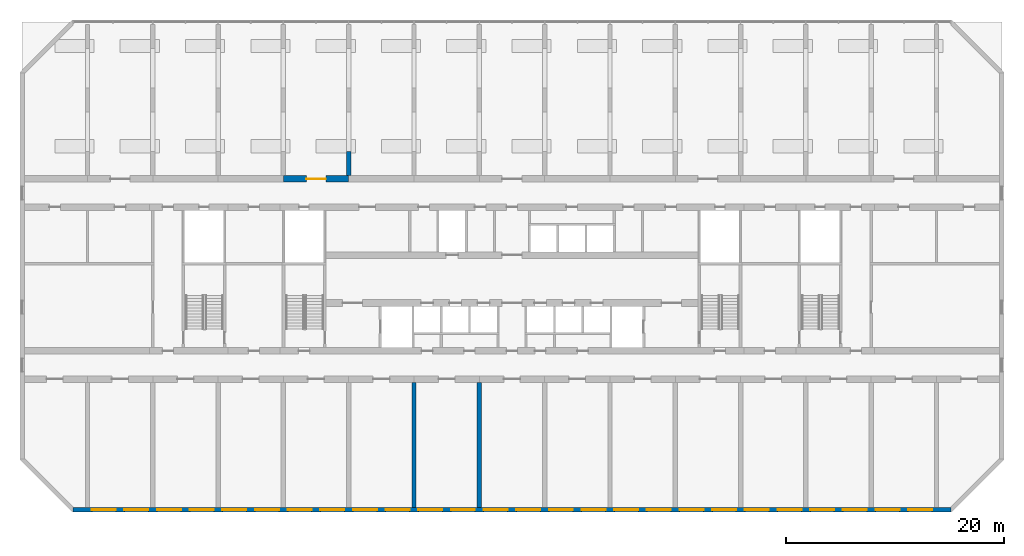
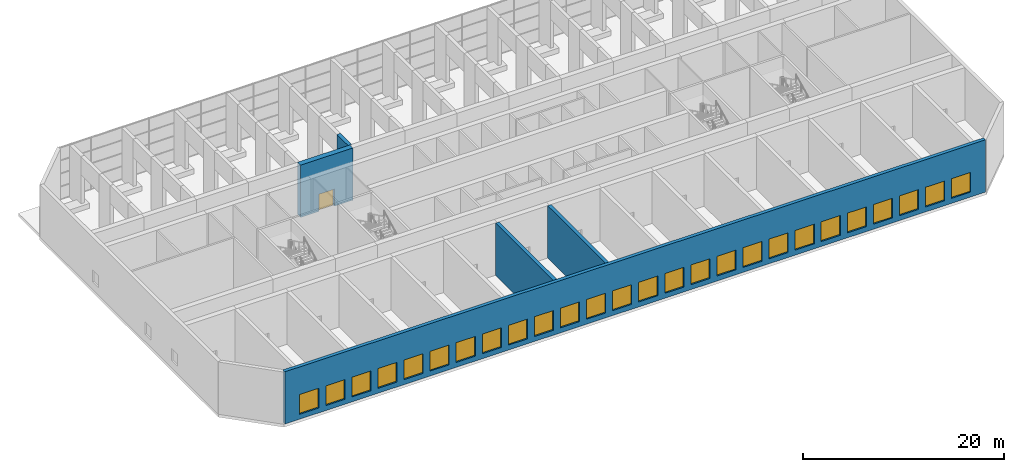
# One storey, part 8 of 15: 26 windows, 5 walls, 1 door, 27 openings.
"""IFC4 building model written with IfcOpenShell, lengths in metres."""

import ifcopenshell
import ifcopenshell.guid

model = None  # the IFC model being written
_history = None  # IfcOwnerHistory: only IFC2X3 demands one
_inside = {}  # id of a spatial element -> (the spatial element, [elements in it])
_under = {}  # id of a project, library or spatial element -> (it, [spatial elements below it])
_declared = {}  # id of a project -> (the project, [libraries it declares])
_typed = {}  # id of a type object -> (the type object, [elements of that type])
_made_of = {}  # id of a material, layer set ... -> (it, [elements and type objects made of it])


def new_model(schema):
    """Start an empty IFC model of exactly this schema.

    Asked for "IFC4X3", IfcOpenShell would pick the latest addendum, in which some entities
    have other attributes; the version numbers below select the first issue.
    IFC2X3 requires an IfcOwnerHistory on every rooted entity: one is made here for all.
    """
    global model, _history
    if schema == "IFC4X3":
        model = ifcopenshell.file(schema_version=(4, 3, 0, 0))
    else:
        model = ifcopenshell.file(schema=schema)
    _inside.clear()
    _under.clear()
    _declared.clear()
    _typed.clear()
    _made_of.clear()
    _history = None
    if model.schema == "IFC2X3":
        org = make("IfcOrganization", Name="unknown")
        user = make(
            "IfcPersonAndOrganization",
            ThePerson=make("IfcPerson", FamilyName="unknown"),
            TheOrganization=org,
        )
        app = make(
            "IfcApplication",
            ApplicationDeveloper=org,
            Version="unknown",
            ApplicationFullName="unknown",
            ApplicationIdentifier="unknown",
        )
        _history = make(
            "IfcOwnerHistory",
            OwningUser=user,
            OwningApplication=app,
            ChangeAction="ADDED",
            CreationDate=0,
        )
    return model


def make(cls, **values):
    """One entity of the class cls with the attributes given. An attribute that is None is left unset."""
    return model.create_entity(
        cls, **{name: value for name, value in values.items() if value is not None}
    )


def rooted(cls, **values):
    """An entity with a GlobalId (a new one), such as an element, a storey or a relation."""
    return make(cls, GlobalId=ifcopenshell.guid.new(), OwnerHistory=_history, **values)


def si_unit(unit_type, name, prefix=None):
    """IfcSIUnit, for example si_unit("LENGTHUNIT", "METRE", prefix="MILLI")."""
    return make("IfcSIUnit", UnitType=unit_type, Prefix=prefix, Name=name)


def assignment(units):
    """IfcUnitAssignment: the units of a project."""
    return None if units is None else make("IfcUnitAssignment", Units=units)


def point(xyz):
    """IfcCartesianPoint."""
    return None if xyz is None else make("IfcCartesianPoint", Coordinates=xyz)


def direction(xyz):
    """IfcDirection."""
    return None if xyz is None else make("IfcDirection", DirectionRatios=xyz)


def frame(location, z_axis=None, x_axis=None):
    """IfcAxis2Placement3D, a coordinate frame: its origin and axes. An axis left out is left unset."""
    return make(
        "IfcAxis2Placement3D",
        Location=point(location),
        Axis=direction(z_axis),
        RefDirection=direction(x_axis),
    )


def frame_2d(location, x_axis=None):
    """IfcAxis2Placement2D, a coordinate frame in the plane: its origin and x axis."""
    return make(
        "IfcAxis2Placement2D", Location=point(location), RefDirection=direction(x_axis)
    )


def origin():
    """The frame at (0, 0, 0) with its axes left unset."""
    return frame((0.0, 0.0, 0.0))


def place(relative_to, where):
    """IfcLocalPlacement: puts the frame where relative to a parent placement (None: the world)."""
    return make(
        "IfcLocalPlacement", PlacementRelTo=relative_to, RelativePlacement=where
    )


def context(
    kind, dimensions, precision=None, world=None, true_north=None, identifier=None
):
    """IfcGeometricRepresentationContext, for example the 3D "Model" context."""
    return make(
        "IfcGeometricRepresentationContext",
        ContextIdentifier=identifier,
        ContextType=kind,
        CoordinateSpaceDimension=dimensions,
        Precision=precision,
        WorldCoordinateSystem=world,
        TrueNorth=true_north,
    )


def subcontext(parent, identifier, kind, view, scale=None):
    """IfcGeometricRepresentationSubContext, for example "Body" below "Model"."""
    return make(
        "IfcGeometricRepresentationSubContext",
        ContextIdentifier=identifier,
        ContextType=kind,
        ParentContext=parent,
        TargetScale=scale,
        TargetView=view,
    )


def project(units=None, contexts=None):
    """IfcProject with its units and contexts."""
    return rooted(
        "IfcProject",
        Name="project",
        RepresentationContexts=contexts,
        UnitsInContext=assignment(units),
    )


def spatial(cls, under=None, at=None, **own):
    """A site, building, storey or space (cls), placed at a placement, below another one or the project."""
    s = rooted(cls, ObjectPlacement=at, **own)
    if under is not None:
        _under.setdefault(under.id(), (under, []))[1].append(s)
    return s


def profile(cls, at=None, kind="AREA", **sizes):
    """A parametric profile (cls). Its sizes go by their IFC names, for example OverallWidth=200.0."""
    return make(cls, ProfileType=kind, Position=at, **sizes)


def rectangle(**sizes):
    """IfcRectangleProfileDef."""
    return profile("IfcRectangleProfileDef", **sizes)


def extrude(swept, where, along, depth):
    """IfcExtrudedAreaSolid: the profile swept, set in the frame where, extruded along a direction by depth."""
    return make(
        "IfcExtrudedAreaSolid",
        SweptArea=swept,
        Position=where,
        ExtrudedDirection=direction(along),
        Depth=depth,
    )


def shape(context_of_items, identifier, shape_type, items):
    """IfcShapeRepresentation: the items that make up one representation, for example the "Body"."""
    return make(
        "IfcShapeRepresentation",
        ContextOfItems=context_of_items,
        RepresentationIdentifier=identifier,
        RepresentationType=shape_type,
        Items=items,
    )


def material(Name=None, Category=None):
    """IfcMaterial."""
    return make("IfcMaterial", Name=Name, Category=Category)


def layer(
    of_material, thickness, ventilated=None, Name=None, Category=None, Priority=None
):
    """IfcMaterialLayer: one layer of a wall or slab, of a material (None: an air gap)."""
    return make(
        "IfcMaterialLayer",
        Material=of_material,
        LayerThickness=thickness,
        IsVentilated=ventilated,
        Name=Name,
        Category=Category,
        Priority=Priority,
    )


def layer_set(layers, Name=None):
    """IfcMaterialLayerSet."""
    return make("IfcMaterialLayerSet", MaterialLayers=layers, LayerSetName=Name)


def made_of(thing, what):
    """Note that an element or type object is made of a material, layer set ...; save() writes the relation."""
    if what is not None:
        _made_of.setdefault(what.id(), (what, []))[1].append(thing)
    return thing


def type_object(cls, material=None, **own):
    """A type object (cls), such as IfcWallType, which elements share."""
    return made_of(rooted(cls, **own), material)


def element(
    cls,
    number,
    at=None,
    inside=None,
    cuts=None,
    type_object=None,
    material=None,
    context=None,
    identifier="Body",
    shape_type=None,
    held_by="IfcProductDefinitionShape",
    body=None,
    shapes=None,
    **own,
):
    """One element of the class cls, such as IfcWall. Its Tag is "e" and its number.

    at: its placement. inside: the storey or other place that contains it. cuts: it is an
    opening in that element (IfcRelVoidsElement). A single representation is given by context,
    identifier, shape_type and body (its items); several are given by shapes. held_by: the class
    of the entity that holds the representations. save() writes the other relations.
    """
    e = rooted(cls, Tag="e%d" % number, ObjectPlacement=at, **own)
    if body is not None:
        shapes = [shape(context, identifier, shape_type, body)]
    if shapes is not None:
        e.Representation = make(held_by, Representations=shapes)
    if inside is not None:
        _inside.setdefault(inside.id(), (inside, []))[1].append(e)
    if cuts is not None:
        rooted(
            "IfcRelVoidsElement", RelatingBuildingElement=cuts, RelatedOpeningElement=e
        )
    if type_object is not None:
        _typed.setdefault(type_object.id(), (type_object, []))[1].append(e)
    return made_of(e, material)


def fill(opening, filler):
    """IfcRelFillsElement: the door or window that sits in an opening."""
    return rooted(
        "IfcRelFillsElement",
        RelatingOpeningElement=opening,
        RelatedBuildingElement=filler,
    )


def aggregate(whole, parts):
    """IfcRelAggregates: a whole, such as a stair, and the parts it consists of."""
    return rooted("IfcRelAggregates", RelatingObject=whole, RelatedObjects=parts)


def save(model, path):
    """Write the relations noted so far, then the file.

    IfcRelAggregates (storeys below a building ...), IfcRelContainedInSpatialStructure (elements
    in a storey), IfcRelDefinesByType, IfcRelAssociatesMaterial and IfcRelDeclares: one each for
    every whole, place, type object, material and project.
    """
    for whole, parts in _under.values():
        aggregate(whole, parts)
    for where, things in _inside.values():
        rooted(
            "IfcRelContainedInSpatialStructure",
            RelatedElements=things,
            RelatingStructure=where,
        )
    for kind, things in _typed.values():
        rooted("IfcRelDefinesByType", RelatedObjects=things, RelatingType=kind)
    for what, things in _made_of.values():
        rooted("IfcRelAssociatesMaterial", RelatedObjects=things, RelatingMaterial=what)
    for by, libraries in _declared.values():
        rooted("IfcRelDeclares", RelatingContext=by, RelatedDefinitions=libraries)
    model.write(path)


model = new_model("IFC4")

# Units and contexts
model_context = context("Model", 3, precision=1e-05, world=origin(), true_north=direction((0.0, 1.0)))
body_context = subcontext(model_context, "Body", "Model", "MODEL_VIEW")
ifc_project = project(units=[si_unit("LENGTHUNIT", "METRE"), si_unit("AREAUNIT", "SQUARE_METRE"), si_unit("VOLUMEUNIT", "CUBIC_METRE"), si_unit("PLANEANGLEUNIT", "RADIAN"), si_unit("MASSUNIT", "GRAM", prefix="KILO")], contexts=[model_context])

# Site, building, storey
site_placement = place(None, origin())
site = spatial("IfcSite", under=ifc_project, at=site_placement, CompositionType="ELEMENT")
building_placement = place(site_placement, origin())
building = spatial("IfcBuilding", under=site, at=building_placement, Name="Poui Terraces", CompositionType="ELEMENT")
storey_placement = place(building_placement, frame((0.0, 0.0, 66.300048828125)))
storey = spatial("IfcBuildingStorey", under=building, at=storey_placement, Name="L18", CompositionType="ELEMENT", Elevation=66.300048828125)

# Wall, opening, door
ifc_material_1 = material(Name="Concrete 80 MPa", Category="concrete")
ifc_layer_1 = layer(ifc_material_1, 0.60009765625)
ifc_layer_set_1 = layer_set([ifc_layer_1], Name="Concrete 80 MPa")
wall_type_1 = type_object("IfcWallType", Name="BELT WALL 600 80MPa", PredefinedType="SHEAR", material=ifc_layer_set_1)
wall_1_placement = place(storey_placement, frame((30.0, 30.39990234375, 0.0), z_axis=(0.0, 0.0, 1.0), x_axis=(1.0, 0.0, 0.0)))
wall_1 = element("IfcWall", 1, at=wall_1_placement, inside=storey, type_object=wall_type_1, Name="BELT WALL LINE E BAY 5", PredefinedType="SHEAR", context=body_context, shape_type="SweptSolid", body=[
    extrude(rectangle(XDim=6.0, YDim=0.60009765625, at=frame_2d((3.0, 0.0))), origin(), (0.0, 0.0, 1.0), 6.35986328125),
])
opening_1_placement = place(wall_1_placement, frame((2.10009765625, 0.0, 0.0)))
opening_1 = element("IfcOpeningElement", 2, at=opening_1_placement, cuts=wall_1, Name="Opening DD180", PredefinedType="OPENING", context=body_context, shape_type="SweptSolid", body=[
    extrude(rectangle(XDim=1.800048828125, YDim=2.10009765625, at=frame_2d((0.89990234375, 1.050048828125))), frame((0.0, 0.31005859375, 0.0), z_axis=(0.0, -1.0, 0.0), x_axis=(1.0, 0.0, 0.0)), (0.0, 0.0, 1.0), 0.6201171875),
])
ifc_material_2 = material(Name="Steel fire door", Category="steel")
door_type = type_object("IfcDoorType", Name="DOUBLE INTERNAL DOOR 1800 X 2100", OperationType="DOUBLE_DOOR_SINGLE_SWING", PredefinedType="DOOR", material=ifc_material_2)
door_placement = place(opening_1_placement, frame((1.800048828125, 0.0, 0.0), z_axis=(0.0, 0.0, 1.0), x_axis=(-1.0, 0.0, 0.0)))
door = element("IfcDoor", 3, at=door_placement, inside=storey, type_object=door_type, Name="DOUBLE INTERNAL DOOR 008", OperationType="DOUBLE_DOOR_SINGLE_SWING", OverallHeight=2.10009765625, OverallWidth=1.800048828125, PredefinedType="DOOR", context=body_context, shape_type="SweptSolid", body=[
    extrude(rectangle(XDim=1.800048828125, YDim=2.10009765625, at=frame_2d((0.89990234375, 1.050048828125))), frame((0.0, 0.02490234375, 0.0), z_axis=(0.0, -1.0, 0.0), x_axis=(1.0, 0.0, 0.0)), (0.0, 0.0, 1.0), 0.050048828125),
])
fill(opening_1, door)

# Walls
ifc_layer_2 = layer(ifc_material_1, 0.39990234375)
ifc_layer_set_2 = layer_set([ifc_layer_2], Name="Concrete 80 MPa")
wall_type_2 = type_object("IfcWallType", Name="CROSS WALL 400 80MPa", PredefinedType="SHEAR", material=ifc_layer_set_2)
for number, where, z_axis, x_axis, name in (
    (4, (42.0, 0.199951171875, 0.0), (0.0, 0.0, 1.0), (0.0, 1.0, 0.0), "CROSS WALL LINE 8 SOUTH"),
    (5, (48.0, 0.199951171875, 0.0), (0.0, 0.0, 1.0), (0.0, 1.0, 0.0), "CROSS WALL LINE 9 SOUTH"),
):
    element("IfcWall", number, at=place(storey_placement, frame(where, z_axis=z_axis, x_axis=x_axis)), inside=storey, type_object=wall_type_2, Name=name, PredefinedType="SHEAR", context=body_context, shape_type="SweptSolid", body=[
        extrude(rectangle(XDim=11.5, YDim=0.39990234375, at=frame_2d((5.75, 0.0))), origin(), (0.0, 0.0, 1.0), 6.35986328125),
    ])

# Wall, openings, windows
ifc_material_3 = material(Name="Precast concrete 40 MPa", Category="concrete")
ifc_layer_3 = layer(ifc_material_3, 0.39990234375)
ifc_layer_set_3 = layer_set([ifc_layer_3], Name="Precast concrete 40 MPa")
wall_type_3 = type_object("IfcWallType", Name="EXTERNAL WALL 400", PredefinedType="STANDARD", material=ifc_layer_set_3)
wall_2_placement = place(storey_placement, frame((10.682861328125, 0.0, 0.0), z_axis=(0.0, 0.0, 1.0), x_axis=(1.0, 0.0, 0.0)))
wall_2 = element("IfcWall", 6, at=wall_2_placement, inside=storey, type_object=wall_type_3, Name="EXTERNAL WALL S", PredefinedType="STANDARD", context=body_context, shape_type="SweptSolid", body=[
    extrude(rectangle(XDim=80.63427734375, YDim=0.39990234375, at=frame_2d((40.317138671875, 0.0))), origin(), (0.0, 0.0, 1.0), 6.35986328125),
])
opening_2_placement = place(wall_2_placement, frame((1.71728515625, 0.0, 0.60009765625)))
opening_2 = element("IfcOpeningElement", 7, at=opening_2_placement, cuts=wall_2, Name="Opening W5", PredefinedType="OPENING", context=body_context, shape_type="SweptSolid", body=[
    extrude(rectangle(XDim=2.199951171875, YDim=2.39990234375, at=frame_2d((1.10009765625, 1.199951171875))), frame((0.0, 0.2099609375, 0.0), z_axis=(0.0, -1.0, 0.0), x_axis=(1.0, 0.0, 0.0)), (0.0, 0.0, 1.0), 0.419921875),
])
opening_3_placement = place(wall_2_placement, frame((4.71728515625, 0.0, 0.60009765625)))
opening_3 = element("IfcOpeningElement", 8, at=opening_3_placement, cuts=wall_2, Name="Opening W5", PredefinedType="OPENING", context=body_context, shape_type="SweptSolid", body=[
    extrude(rectangle(XDim=2.199951171875, YDim=2.39990234375, at=frame_2d((1.10009765625, 1.199951171875))), frame((0.0, 0.2099609375, 0.0), z_axis=(0.0, -1.0, 0.0), x_axis=(1.0, 0.0, 0.0)), (0.0, 0.0, 1.0), 0.419921875),
])
opening_4_placement = place(wall_2_placement, frame((7.71728515625, 0.0, 0.60009765625)))
opening_4 = element("IfcOpeningElement", 9, at=opening_4_placement, cuts=wall_2, Name="Opening W5", PredefinedType="OPENING", context=body_context, shape_type="SweptSolid", body=[
    extrude(rectangle(XDim=2.199951171875, YDim=2.39990234375, at=frame_2d((1.10009765625, 1.199951171875))), frame((0.0, 0.2099609375, 0.0), z_axis=(0.0, -1.0, 0.0), x_axis=(1.0, 0.0, 0.0)), (0.0, 0.0, 1.0), 0.419921875),
])
opening_5_placement = place(wall_2_placement, frame((10.71728515625, 0.0, 0.60009765625)))
opening_5 = element("IfcOpeningElement", 10, at=opening_5_placement, cuts=wall_2, Name="Opening W5", PredefinedType="OPENING", context=body_context, shape_type="SweptSolid", body=[
    extrude(rectangle(XDim=2.199951171875, YDim=2.39990234375, at=frame_2d((1.10009765625, 1.199951171875))), frame((0.0, 0.2099609375, 0.0), z_axis=(0.0, -1.0, 0.0), x_axis=(1.0, 0.0, 0.0)), (0.0, 0.0, 1.0), 0.419921875),
])
opening_6_placement = place(wall_2_placement, frame((13.71728515625, 0.0, 0.60009765625)))
opening_6 = element("IfcOpeningElement", 11, at=opening_6_placement, cuts=wall_2, Name="Opening W5", PredefinedType="OPENING", context=body_context, shape_type="SweptSolid", body=[
    extrude(rectangle(XDim=2.199951171875, YDim=2.39990234375, at=frame_2d((1.10009765625, 1.199951171875))), frame((0.0, 0.2099609375, 0.0), z_axis=(0.0, -1.0, 0.0), x_axis=(1.0, 0.0, 0.0)), (0.0, 0.0, 1.0), 0.419921875),
])
opening_7_placement = place(wall_2_placement, frame((16.71728515625, 0.0, 0.60009765625)))
opening_7 = element("IfcOpeningElement", 12, at=opening_7_placement, cuts=wall_2, Name="Opening W5", PredefinedType="OPENING", context=body_context, shape_type="SweptSolid", body=[
    extrude(rectangle(XDim=2.199951171875, YDim=2.39990234375, at=frame_2d((1.10009765625, 1.199951171875))), frame((0.0, 0.2099609375, 0.0), z_axis=(0.0, -1.0, 0.0), x_axis=(1.0, 0.0, 0.0)), (0.0, 0.0, 1.0), 0.419921875),
])
opening_8_placement = place(wall_2_placement, frame((19.71728515625, 0.0, 0.60009765625)))
opening_8 = element("IfcOpeningElement", 13, at=opening_8_placement, cuts=wall_2, Name="Opening W5", PredefinedType="OPENING", context=body_context, shape_type="SweptSolid", body=[
    extrude(rectangle(XDim=2.199951171875, YDim=2.39990234375, at=frame_2d((1.10009765625, 1.199951171875))), frame((0.0, 0.2099609375, 0.0), z_axis=(0.0, -1.0, 0.0), x_axis=(1.0, 0.0, 0.0)), (0.0, 0.0, 1.0), 0.419921875),
])
opening_9_placement = place(wall_2_placement, frame((22.71728515625, 0.0, 0.60009765625)))
opening_9 = element("IfcOpeningElement", 14, at=opening_9_placement, cuts=wall_2, Name="Opening W5", PredefinedType="OPENING", context=body_context, shape_type="SweptSolid", body=[
    extrude(rectangle(XDim=2.199951171875, YDim=2.39990234375, at=frame_2d((1.10009765625, 1.199951171875))), frame((0.0, 0.2099609375, 0.0), z_axis=(0.0, -1.0, 0.0), x_axis=(1.0, 0.0, 0.0)), (0.0, 0.0, 1.0), 0.419921875),
])
opening_10_placement = place(wall_2_placement, frame((25.71728515625, 0.0, 0.60009765625)))
opening_10 = element("IfcOpeningElement", 15, at=opening_10_placement, cuts=wall_2, Name="Opening W5", PredefinedType="OPENING", context=body_context, shape_type="SweptSolid", body=[
    extrude(rectangle(XDim=2.199951171875, YDim=2.39990234375, at=frame_2d((1.10009765625, 1.199951171875))), frame((0.0, 0.2099609375, 0.0), z_axis=(0.0, -1.0, 0.0), x_axis=(1.0, 0.0, 0.0)), (0.0, 0.0, 1.0), 0.419921875),
])
opening_11_placement = place(wall_2_placement, frame((28.71728515625, 0.0, 0.60009765625)))
opening_11 = element("IfcOpeningElement", 16, at=opening_11_placement, cuts=wall_2, Name="Opening W5", PredefinedType="OPENING", context=body_context, shape_type="SweptSolid", body=[
    extrude(rectangle(XDim=2.199951171875, YDim=2.39990234375, at=frame_2d((1.10009765625, 1.199951171875))), frame((0.0, 0.2099609375, 0.0), z_axis=(0.0, -1.0, 0.0), x_axis=(1.0, 0.0, 0.0)), (0.0, 0.0, 1.0), 0.419921875),
])
opening_12_placement = place(wall_2_placement, frame((31.71728515625, 0.0, 0.60009765625)))
opening_12 = element("IfcOpeningElement", 17, at=opening_12_placement, cuts=wall_2, Name="Opening W5", PredefinedType="OPENING", context=body_context, shape_type="SweptSolid", body=[
    extrude(rectangle(XDim=2.199951171875, YDim=2.39990234375, at=frame_2d((1.10009765625, 1.199951171875))), frame((0.0, 0.2099609375, 0.0), z_axis=(0.0, -1.0, 0.0), x_axis=(1.0, 0.0, 0.0)), (0.0, 0.0, 1.0), 0.419921875),
])
opening_13_placement = place(wall_2_placement, frame((34.71728515625, 0.0, 0.60009765625)))
opening_13 = element("IfcOpeningElement", 18, at=opening_13_placement, cuts=wall_2, Name="Opening W5", PredefinedType="OPENING", context=body_context, shape_type="SweptSolid", body=[
    extrude(rectangle(XDim=2.199951171875, YDim=2.39990234375, at=frame_2d((1.10009765625, 1.199951171875))), frame((0.0, 0.2099609375, 0.0), z_axis=(0.0, -1.0, 0.0), x_axis=(1.0, 0.0, 0.0)), (0.0, 0.0, 1.0), 0.419921875),
])
opening_14_placement = place(wall_2_placement, frame((37.71728515625, 0.0, 0.60009765625)))
opening_14 = element("IfcOpeningElement", 19, at=opening_14_placement, cuts=wall_2, Name="Opening W5", PredefinedType="OPENING", context=body_context, shape_type="SweptSolid", body=[
    extrude(rectangle(XDim=2.199951171875, YDim=2.39990234375, at=frame_2d((1.10009765625, 1.199951171875))), frame((0.0, 0.2099609375, 0.0), z_axis=(0.0, -1.0, 0.0), x_axis=(1.0, 0.0, 0.0)), (0.0, 0.0, 1.0), 0.419921875),
])
opening_15_placement = place(wall_2_placement, frame((40.71728515625, 0.0, 0.60009765625)))
opening_15 = element("IfcOpeningElement", 20, at=opening_15_placement, cuts=wall_2, Name="Opening W5", PredefinedType="OPENING", context=body_context, shape_type="SweptSolid", body=[
    extrude(rectangle(XDim=2.199951171875, YDim=2.39990234375, at=frame_2d((1.10009765625, 1.199951171875))), frame((0.0, 0.2099609375, 0.0), z_axis=(0.0, -1.0, 0.0), x_axis=(1.0, 0.0, 0.0)), (0.0, 0.0, 1.0), 0.419921875),
])
opening_16_placement = place(wall_2_placement, frame((43.71728515625, 0.0, 0.60009765625)))
opening_16 = element("IfcOpeningElement", 21, at=opening_16_placement, cuts=wall_2, Name="Opening W5", PredefinedType="OPENING", context=body_context, shape_type="SweptSolid", body=[
    extrude(rectangle(XDim=2.199951171875, YDim=2.39990234375, at=frame_2d((1.10009765625, 1.199951171875))), frame((0.0, 0.2099609375, 0.0), z_axis=(0.0, -1.0, 0.0), x_axis=(1.0, 0.0, 0.0)), (0.0, 0.0, 1.0), 0.419921875),
])
opening_17_placement = place(wall_2_placement, frame((46.71728515625, 0.0, 0.60009765625)))
opening_17 = element("IfcOpeningElement", 22, at=opening_17_placement, cuts=wall_2, Name="Opening W5", PredefinedType="OPENING", context=body_context, shape_type="SweptSolid", body=[
    extrude(rectangle(XDim=2.199951171875, YDim=2.39990234375, at=frame_2d((1.10009765625, 1.199951171875))), frame((0.0, 0.2099609375, 0.0), z_axis=(0.0, -1.0, 0.0), x_axis=(1.0, 0.0, 0.0)), (0.0, 0.0, 1.0), 0.419921875),
])
opening_18_placement = place(wall_2_placement, frame((49.71728515625, 0.0, 0.60009765625)))
opening_18 = element("IfcOpeningElement", 23, at=opening_18_placement, cuts=wall_2, Name="Opening W5", PredefinedType="OPENING", context=body_context, shape_type="SweptSolid", body=[
    extrude(rectangle(XDim=2.199951171875, YDim=2.39990234375, at=frame_2d((1.10009765625, 1.199951171875))), frame((0.0, 0.2099609375, 0.0), z_axis=(0.0, -1.0, 0.0), x_axis=(1.0, 0.0, 0.0)), (0.0, 0.0, 1.0), 0.419921875),
])
opening_19_placement = place(wall_2_placement, frame((52.71728515625, 0.0, 0.60009765625)))
opening_19 = element("IfcOpeningElement", 24, at=opening_19_placement, cuts=wall_2, Name="Opening W5", PredefinedType="OPENING", context=body_context, shape_type="SweptSolid", body=[
    extrude(rectangle(XDim=2.199951171875, YDim=2.39990234375, at=frame_2d((1.10009765625, 1.199951171875))), frame((0.0, 0.2099609375, 0.0), z_axis=(0.0, -1.0, 0.0), x_axis=(1.0, 0.0, 0.0)), (0.0, 0.0, 1.0), 0.419921875),
])
opening_20_placement = place(wall_2_placement, frame((55.71728515625, 0.0, 0.60009765625)))
opening_20 = element("IfcOpeningElement", 25, at=opening_20_placement, cuts=wall_2, Name="Opening W5", PredefinedType="OPENING", context=body_context, shape_type="SweptSolid", body=[
    extrude(rectangle(XDim=2.199951171875, YDim=2.39990234375, at=frame_2d((1.10009765625, 1.199951171875))), frame((0.0, 0.2099609375, 0.0), z_axis=(0.0, -1.0, 0.0), x_axis=(1.0, 0.0, 0.0)), (0.0, 0.0, 1.0), 0.419921875),
])
opening_21_placement = place(wall_2_placement, frame((58.71728515625, 0.0, 0.60009765625)))
opening_21 = element("IfcOpeningElement", 26, at=opening_21_placement, cuts=wall_2, Name="Opening W5", PredefinedType="OPENING", context=body_context, shape_type="SweptSolid", body=[
    extrude(rectangle(XDim=2.199951171875, YDim=2.39990234375, at=frame_2d((1.10009765625, 1.199951171875))), frame((0.0, 0.2099609375, 0.0), z_axis=(0.0, -1.0, 0.0), x_axis=(1.0, 0.0, 0.0)), (0.0, 0.0, 1.0), 0.419921875),
])
opening_22_placement = place(wall_2_placement, frame((61.71728515625, 0.0, 0.60009765625)))
opening_22 = element("IfcOpeningElement", 27, at=opening_22_placement, cuts=wall_2, Name="Opening W5", PredefinedType="OPENING", context=body_context, shape_type="SweptSolid", body=[
    extrude(rectangle(XDim=2.199951171875, YDim=2.39990234375, at=frame_2d((1.10009765625, 1.199951171875))), frame((0.0, 0.2099609375, 0.0), z_axis=(0.0, -1.0, 0.0), x_axis=(1.0, 0.0, 0.0)), (0.0, 0.0, 1.0), 0.419921875),
])
opening_23_placement = place(wall_2_placement, frame((64.71728515625, 0.0, 0.60009765625)))
opening_23 = element("IfcOpeningElement", 28, at=opening_23_placement, cuts=wall_2, Name="Opening W5", PredefinedType="OPENING", context=body_context, shape_type="SweptSolid", body=[
    extrude(rectangle(XDim=2.199951171875, YDim=2.39990234375, at=frame_2d((1.10009765625, 1.199951171875))), frame((0.0, 0.2099609375, 0.0), z_axis=(0.0, -1.0, 0.0), x_axis=(1.0, 0.0, 0.0)), (0.0, 0.0, 1.0), 0.419921875),
])
opening_24_placement = place(wall_2_placement, frame((67.71728515625, 0.0, 0.60009765625)))
opening_24 = element("IfcOpeningElement", 29, at=opening_24_placement, cuts=wall_2, Name="Opening W5", PredefinedType="OPENING", context=body_context, shape_type="SweptSolid", body=[
    extrude(rectangle(XDim=2.199951171875, YDim=2.39990234375, at=frame_2d((1.10009765625, 1.199951171875))), frame((0.0, 0.2099609375, 0.0), z_axis=(0.0, -1.0, 0.0), x_axis=(1.0, 0.0, 0.0)), (0.0, 0.0, 1.0), 0.419921875),
])
opening_25_placement = place(wall_2_placement, frame((70.71728515625, 0.0, 0.60009765625)))
opening_25 = element("IfcOpeningElement", 30, at=opening_25_placement, cuts=wall_2, Name="Opening W5", PredefinedType="OPENING", context=body_context, shape_type="SweptSolid", body=[
    extrude(rectangle(XDim=2.199951171875, YDim=2.39990234375, at=frame_2d((1.10009765625, 1.199951171875))), frame((0.0, 0.2099609375, 0.0), z_axis=(0.0, -1.0, 0.0), x_axis=(1.0, 0.0, 0.0)), (0.0, 0.0, 1.0), 0.419921875),
])
opening_26_placement = place(wall_2_placement, frame((73.71728515625, 0.0, 0.60009765625)))
opening_26 = element("IfcOpeningElement", 31, at=opening_26_placement, cuts=wall_2, Name="Opening W5", PredefinedType="OPENING", context=body_context, shape_type="SweptSolid", body=[
    extrude(rectangle(XDim=2.199951171875, YDim=2.39990234375, at=frame_2d((1.10009765625, 1.199951171875))), frame((0.0, 0.2099609375, 0.0), z_axis=(0.0, -1.0, 0.0), x_axis=(1.0, 0.0, 0.0)), (0.0, 0.0, 1.0), 0.419921875),
])
opening_27_placement = place(wall_2_placement, frame((76.71728515625, 0.0, 0.60009765625)))
opening_27 = element("IfcOpeningElement", 32, at=opening_27_placement, cuts=wall_2, Name="Opening W5", PredefinedType="OPENING", context=body_context, shape_type="SweptSolid", body=[
    extrude(rectangle(XDim=2.199951171875, YDim=2.39990234375, at=frame_2d((1.10009765625, 1.199951171875))), frame((0.0, 0.2099609375, 0.0), z_axis=(0.0, -1.0, 0.0), x_axis=(1.0, 0.0, 0.0)), (0.0, 0.0, 1.0), 0.419921875),
])
ifc_material_4 = material(Name="Clear glass in aluminium frame", Category="aluminium")
window_type = type_object("IfcWindowType", Name="WINDOW 2200X2400", PartitioningType="TRIPLE_PANEL_HORIZONTAL", PredefinedType="WINDOW", material=ifc_material_4)
window_1_placement = place(opening_2_placement, origin())
window_1 = element("IfcWindow", 33, at=window_1_placement, inside=storey, type_object=window_type, Name="W5 WINDOW", OverallHeight=2.39990234375, OverallWidth=2.199951171875, PartitioningType="TRIPLE_PANEL_HORIZONTAL", PredefinedType="WINDOW", context=body_context, shape_type="SweptSolid", body=[
    extrude(rectangle(XDim=2.199951171875, YDim=2.39990234375, at=frame_2d((1.10009765625, 1.199951171875))), frame((0.0, 0.030029296875, 0.0), z_axis=(0.0, -1.0, 0.0), x_axis=(1.0, 0.0, 0.0)), (0.0, 0.0, 1.0), 0.06005859375),
])
fill(opening_2, window_1)
window_2_placement = place(opening_3_placement, origin())
window_2 = element("IfcWindow", 34, at=window_2_placement, inside=storey, type_object=window_type, Name="W5 WINDOW", OverallHeight=2.39990234375, OverallWidth=2.199951171875, PartitioningType="TRIPLE_PANEL_HORIZONTAL", PredefinedType="WINDOW", context=body_context, shape_type="SweptSolid", body=[
    extrude(rectangle(XDim=2.199951171875, YDim=2.39990234375, at=frame_2d((1.10009765625, 1.199951171875))), frame((0.0, 0.030029296875, 0.0), z_axis=(0.0, -1.0, 0.0), x_axis=(1.0, 0.0, 0.0)), (0.0, 0.0, 1.0), 0.06005859375),
])
fill(opening_3, window_2)
window_3_placement = place(opening_4_placement, origin())
window_3 = element("IfcWindow", 35, at=window_3_placement, inside=storey, type_object=window_type, Name="W5 WINDOW", OverallHeight=2.39990234375, OverallWidth=2.199951171875, PartitioningType="TRIPLE_PANEL_HORIZONTAL", PredefinedType="WINDOW", context=body_context, shape_type="SweptSolid", body=[
    extrude(rectangle(XDim=2.199951171875, YDim=2.39990234375, at=frame_2d((1.10009765625, 1.199951171875))), frame((0.0, 0.030029296875, 0.0), z_axis=(0.0, -1.0, 0.0), x_axis=(1.0, 0.0, 0.0)), (0.0, 0.0, 1.0), 0.06005859375),
])
fill(opening_4, window_3)
window_4_placement = place(opening_5_placement, origin())
window_4 = element("IfcWindow", 36, at=window_4_placement, inside=storey, type_object=window_type, Name="W5 WINDOW", OverallHeight=2.39990234375, OverallWidth=2.199951171875, PartitioningType="TRIPLE_PANEL_HORIZONTAL", PredefinedType="WINDOW", context=body_context, shape_type="SweptSolid", body=[
    extrude(rectangle(XDim=2.199951171875, YDim=2.39990234375, at=frame_2d((1.10009765625, 1.199951171875))), frame((0.0, 0.030029296875, 0.0), z_axis=(0.0, -1.0, 0.0), x_axis=(1.0, 0.0, 0.0)), (0.0, 0.0, 1.0), 0.06005859375),
])
fill(opening_5, window_4)
window_5_placement = place(opening_6_placement, origin())
window_5 = element("IfcWindow", 37, at=window_5_placement, inside=storey, type_object=window_type, Name="W5 WINDOW", OverallHeight=2.39990234375, OverallWidth=2.199951171875, PartitioningType="TRIPLE_PANEL_HORIZONTAL", PredefinedType="WINDOW", context=body_context, shape_type="SweptSolid", body=[
    extrude(rectangle(XDim=2.199951171875, YDim=2.39990234375, at=frame_2d((1.10009765625, 1.199951171875))), frame((0.0, 0.030029296875, 0.0), z_axis=(0.0, -1.0, 0.0), x_axis=(1.0, 0.0, 0.0)), (0.0, 0.0, 1.0), 0.06005859375),
])
fill(opening_6, window_5)
window_6_placement = place(opening_7_placement, origin())
window_6 = element("IfcWindow", 38, at=window_6_placement, inside=storey, type_object=window_type, Name="W5 WINDOW", OverallHeight=2.39990234375, OverallWidth=2.199951171875, PartitioningType="TRIPLE_PANEL_HORIZONTAL", PredefinedType="WINDOW", context=body_context, shape_type="SweptSolid", body=[
    extrude(rectangle(XDim=2.199951171875, YDim=2.39990234375, at=frame_2d((1.10009765625, 1.199951171875))), frame((0.0, 0.030029296875, 0.0), z_axis=(0.0, -1.0, 0.0), x_axis=(1.0, 0.0, 0.0)), (0.0, 0.0, 1.0), 0.06005859375),
])
fill(opening_7, window_6)
window_7_placement = place(opening_8_placement, origin())
window_7 = element("IfcWindow", 39, at=window_7_placement, inside=storey, type_object=window_type, Name="W5 WINDOW", OverallHeight=2.39990234375, OverallWidth=2.199951171875, PartitioningType="TRIPLE_PANEL_HORIZONTAL", PredefinedType="WINDOW", context=body_context, shape_type="SweptSolid", body=[
    extrude(rectangle(XDim=2.199951171875, YDim=2.39990234375, at=frame_2d((1.10009765625, 1.199951171875))), frame((0.0, 0.030029296875, 0.0), z_axis=(0.0, -1.0, 0.0), x_axis=(1.0, 0.0, 0.0)), (0.0, 0.0, 1.0), 0.06005859375),
])
fill(opening_8, window_7)
window_8_placement = place(opening_9_placement, origin())
window_8 = element("IfcWindow", 40, at=window_8_placement, inside=storey, type_object=window_type, Name="W5 WINDOW", OverallHeight=2.39990234375, OverallWidth=2.199951171875, PartitioningType="TRIPLE_PANEL_HORIZONTAL", PredefinedType="WINDOW", context=body_context, shape_type="SweptSolid", body=[
    extrude(rectangle(XDim=2.199951171875, YDim=2.39990234375, at=frame_2d((1.10009765625, 1.199951171875))), frame((0.0, 0.030029296875, 0.0), z_axis=(0.0, -1.0, 0.0), x_axis=(1.0, 0.0, 0.0)), (0.0, 0.0, 1.0), 0.06005859375),
])
fill(opening_9, window_8)
window_9_placement = place(opening_10_placement, origin())
window_9 = element("IfcWindow", 41, at=window_9_placement, inside=storey, type_object=window_type, Name="W5 WINDOW", OverallHeight=2.39990234375, OverallWidth=2.199951171875, PartitioningType="TRIPLE_PANEL_HORIZONTAL", PredefinedType="WINDOW", context=body_context, shape_type="SweptSolid", body=[
    extrude(rectangle(XDim=2.199951171875, YDim=2.39990234375, at=frame_2d((1.10009765625, 1.199951171875))), frame((0.0, 0.030029296875, 0.0), z_axis=(0.0, -1.0, 0.0), x_axis=(1.0, 0.0, 0.0)), (0.0, 0.0, 1.0), 0.06005859375),
])
fill(opening_10, window_9)
window_10_placement = place(opening_11_placement, origin())
window_10 = element("IfcWindow", 42, at=window_10_placement, inside=storey, type_object=window_type, Name="W5 WINDOW", OverallHeight=2.39990234375, OverallWidth=2.199951171875, PartitioningType="TRIPLE_PANEL_HORIZONTAL", PredefinedType="WINDOW", context=body_context, shape_type="SweptSolid", body=[
    extrude(rectangle(XDim=2.199951171875, YDim=2.39990234375, at=frame_2d((1.10009765625, 1.199951171875))), frame((0.0, 0.030029296875, 0.0), z_axis=(0.0, -1.0, 0.0), x_axis=(1.0, 0.0, 0.0)), (0.0, 0.0, 1.0), 0.06005859375),
])
fill(opening_11, window_10)
window_11_placement = place(opening_12_placement, origin())
window_11 = element("IfcWindow", 43, at=window_11_placement, inside=storey, type_object=window_type, Name="W5 WINDOW", OverallHeight=2.39990234375, OverallWidth=2.199951171875, PartitioningType="TRIPLE_PANEL_HORIZONTAL", PredefinedType="WINDOW", context=body_context, shape_type="SweptSolid", body=[
    extrude(rectangle(XDim=2.199951171875, YDim=2.39990234375, at=frame_2d((1.10009765625, 1.199951171875))), frame((0.0, 0.030029296875, 0.0), z_axis=(0.0, -1.0, 0.0), x_axis=(1.0, 0.0, 0.0)), (0.0, 0.0, 1.0), 0.06005859375),
])
fill(opening_12, window_11)
window_12_placement = place(opening_13_placement, origin())
window_12 = element("IfcWindow", 44, at=window_12_placement, inside=storey, type_object=window_type, Name="W5 WINDOW", OverallHeight=2.39990234375, OverallWidth=2.199951171875, PartitioningType="TRIPLE_PANEL_HORIZONTAL", PredefinedType="WINDOW", context=body_context, shape_type="SweptSolid", body=[
    extrude(rectangle(XDim=2.199951171875, YDim=2.39990234375, at=frame_2d((1.10009765625, 1.199951171875))), frame((0.0, 0.030029296875, 0.0), z_axis=(0.0, -1.0, 0.0), x_axis=(1.0, 0.0, 0.0)), (0.0, 0.0, 1.0), 0.06005859375),
])
fill(opening_13, window_12)
window_13_placement = place(opening_14_placement, origin())
window_13 = element("IfcWindow", 45, at=window_13_placement, inside=storey, type_object=window_type, Name="W5 WINDOW", OverallHeight=2.39990234375, OverallWidth=2.199951171875, PartitioningType="TRIPLE_PANEL_HORIZONTAL", PredefinedType="WINDOW", context=body_context, shape_type="SweptSolid", body=[
    extrude(rectangle(XDim=2.199951171875, YDim=2.39990234375, at=frame_2d((1.10009765625, 1.199951171875))), frame((0.0, 0.030029296875, 0.0), z_axis=(0.0, -1.0, 0.0), x_axis=(1.0, 0.0, 0.0)), (0.0, 0.0, 1.0), 0.06005859375),
])
fill(opening_14, window_13)
window_14_placement = place(opening_15_placement, origin())
window_14 = element("IfcWindow", 46, at=window_14_placement, inside=storey, type_object=window_type, Name="W5 WINDOW", OverallHeight=2.39990234375, OverallWidth=2.199951171875, PartitioningType="TRIPLE_PANEL_HORIZONTAL", PredefinedType="WINDOW", context=body_context, shape_type="SweptSolid", body=[
    extrude(rectangle(XDim=2.199951171875, YDim=2.39990234375, at=frame_2d((1.10009765625, 1.199951171875))), frame((0.0, 0.030029296875, 0.0), z_axis=(0.0, -1.0, 0.0), x_axis=(1.0, 0.0, 0.0)), (0.0, 0.0, 1.0), 0.06005859375),
])
fill(opening_15, window_14)
window_15_placement = place(opening_16_placement, origin())
window_15 = element("IfcWindow", 47, at=window_15_placement, inside=storey, type_object=window_type, Name="W5 WINDOW", OverallHeight=2.39990234375, OverallWidth=2.199951171875, PartitioningType="TRIPLE_PANEL_HORIZONTAL", PredefinedType="WINDOW", context=body_context, shape_type="SweptSolid", body=[
    extrude(rectangle(XDim=2.199951171875, YDim=2.39990234375, at=frame_2d((1.10009765625, 1.199951171875))), frame((0.0, 0.030029296875, 0.0), z_axis=(0.0, -1.0, 0.0), x_axis=(1.0, 0.0, 0.0)), (0.0, 0.0, 1.0), 0.06005859375),
])
fill(opening_16, window_15)
window_16_placement = place(opening_17_placement, origin())
window_16 = element("IfcWindow", 48, at=window_16_placement, inside=storey, type_object=window_type, Name="W5 WINDOW", OverallHeight=2.39990234375, OverallWidth=2.199951171875, PartitioningType="TRIPLE_PANEL_HORIZONTAL", PredefinedType="WINDOW", context=body_context, shape_type="SweptSolid", body=[
    extrude(rectangle(XDim=2.199951171875, YDim=2.39990234375, at=frame_2d((1.10009765625, 1.199951171875))), frame((0.0, 0.030029296875, 0.0), z_axis=(0.0, -1.0, 0.0), x_axis=(1.0, 0.0, 0.0)), (0.0, 0.0, 1.0), 0.06005859375),
])
fill(opening_17, window_16)
window_17_placement = place(opening_18_placement, origin())
window_17 = element("IfcWindow", 49, at=window_17_placement, inside=storey, type_object=window_type, Name="W5 WINDOW", OverallHeight=2.39990234375, OverallWidth=2.199951171875, PartitioningType="TRIPLE_PANEL_HORIZONTAL", PredefinedType="WINDOW", context=body_context, shape_type="SweptSolid", body=[
    extrude(rectangle(XDim=2.199951171875, YDim=2.39990234375, at=frame_2d((1.10009765625, 1.199951171875))), frame((0.0, 0.030029296875, 0.0), z_axis=(0.0, -1.0, 0.0), x_axis=(1.0, 0.0, 0.0)), (0.0, 0.0, 1.0), 0.06005859375),
])
fill(opening_18, window_17)
window_18_placement = place(opening_19_placement, origin())
window_18 = element("IfcWindow", 50, at=window_18_placement, inside=storey, type_object=window_type, Name="W5 WINDOW", OverallHeight=2.39990234375, OverallWidth=2.199951171875, PartitioningType="TRIPLE_PANEL_HORIZONTAL", PredefinedType="WINDOW", context=body_context, shape_type="SweptSolid", body=[
    extrude(rectangle(XDim=2.199951171875, YDim=2.39990234375, at=frame_2d((1.10009765625, 1.199951171875))), frame((0.0, 0.030029296875, 0.0), z_axis=(0.0, -1.0, 0.0), x_axis=(1.0, 0.0, 0.0)), (0.0, 0.0, 1.0), 0.06005859375),
])
fill(opening_19, window_18)
window_19_placement = place(opening_20_placement, origin())
window_19 = element("IfcWindow", 51, at=window_19_placement, inside=storey, type_object=window_type, Name="W5 WINDOW", OverallHeight=2.39990234375, OverallWidth=2.199951171875, PartitioningType="TRIPLE_PANEL_HORIZONTAL", PredefinedType="WINDOW", context=body_context, shape_type="SweptSolid", body=[
    extrude(rectangle(XDim=2.199951171875, YDim=2.39990234375, at=frame_2d((1.10009765625, 1.199951171875))), frame((0.0, 0.030029296875, 0.0), z_axis=(0.0, -1.0, 0.0), x_axis=(1.0, 0.0, 0.0)), (0.0, 0.0, 1.0), 0.06005859375),
])
fill(opening_20, window_19)
window_20_placement = place(opening_21_placement, origin())
window_20 = element("IfcWindow", 52, at=window_20_placement, inside=storey, type_object=window_type, Name="W5 WINDOW", OverallHeight=2.39990234375, OverallWidth=2.199951171875, PartitioningType="TRIPLE_PANEL_HORIZONTAL", PredefinedType="WINDOW", context=body_context, shape_type="SweptSolid", body=[
    extrude(rectangle(XDim=2.199951171875, YDim=2.39990234375, at=frame_2d((1.10009765625, 1.199951171875))), frame((0.0, 0.030029296875, 0.0), z_axis=(0.0, -1.0, 0.0), x_axis=(1.0, 0.0, 0.0)), (0.0, 0.0, 1.0), 0.06005859375),
])
fill(opening_21, window_20)
window_21_placement = place(opening_22_placement, origin())
window_21 = element("IfcWindow", 53, at=window_21_placement, inside=storey, type_object=window_type, Name="W5 WINDOW", OverallHeight=2.39990234375, OverallWidth=2.199951171875, PartitioningType="TRIPLE_PANEL_HORIZONTAL", PredefinedType="WINDOW", context=body_context, shape_type="SweptSolid", body=[
    extrude(rectangle(XDim=2.199951171875, YDim=2.39990234375, at=frame_2d((1.10009765625, 1.199951171875))), frame((0.0, 0.030029296875, 0.0), z_axis=(0.0, -1.0, 0.0), x_axis=(1.0, 0.0, 0.0)), (0.0, 0.0, 1.0), 0.06005859375),
])
fill(opening_22, window_21)
window_22_placement = place(opening_23_placement, origin())
window_22 = element("IfcWindow", 54, at=window_22_placement, inside=storey, type_object=window_type, Name="W5 WINDOW", OverallHeight=2.39990234375, OverallWidth=2.199951171875, PartitioningType="TRIPLE_PANEL_HORIZONTAL", PredefinedType="WINDOW", context=body_context, shape_type="SweptSolid", body=[
    extrude(rectangle(XDim=2.199951171875, YDim=2.39990234375, at=frame_2d((1.10009765625, 1.199951171875))), frame((0.0, 0.030029296875, 0.0), z_axis=(0.0, -1.0, 0.0), x_axis=(1.0, 0.0, 0.0)), (0.0, 0.0, 1.0), 0.06005859375),
])
fill(opening_23, window_22)
window_23_placement = place(opening_24_placement, origin())
window_23 = element("IfcWindow", 55, at=window_23_placement, inside=storey, type_object=window_type, Name="W5 WINDOW", OverallHeight=2.39990234375, OverallWidth=2.199951171875, PartitioningType="TRIPLE_PANEL_HORIZONTAL", PredefinedType="WINDOW", context=body_context, shape_type="SweptSolid", body=[
    extrude(rectangle(XDim=2.199951171875, YDim=2.39990234375, at=frame_2d((1.10009765625, 1.199951171875))), frame((0.0, 0.030029296875, 0.0), z_axis=(0.0, -1.0, 0.0), x_axis=(1.0, 0.0, 0.0)), (0.0, 0.0, 1.0), 0.06005859375),
])
fill(opening_24, window_23)
window_24_placement = place(opening_25_placement, origin())
window_24 = element("IfcWindow", 56, at=window_24_placement, inside=storey, type_object=window_type, Name="W5 WINDOW", OverallHeight=2.39990234375, OverallWidth=2.199951171875, PartitioningType="TRIPLE_PANEL_HORIZONTAL", PredefinedType="WINDOW", context=body_context, shape_type="SweptSolid", body=[
    extrude(rectangle(XDim=2.199951171875, YDim=2.39990234375, at=frame_2d((1.10009765625, 1.199951171875))), frame((0.0, 0.030029296875, 0.0), z_axis=(0.0, -1.0, 0.0), x_axis=(1.0, 0.0, 0.0)), (0.0, 0.0, 1.0), 0.06005859375),
])
fill(opening_25, window_24)
window_25_placement = place(opening_26_placement, origin())
window_25 = element("IfcWindow", 57, at=window_25_placement, inside=storey, type_object=window_type, Name="W5 WINDOW", OverallHeight=2.39990234375, OverallWidth=2.199951171875, PartitioningType="TRIPLE_PANEL_HORIZONTAL", PredefinedType="WINDOW", context=body_context, shape_type="SweptSolid", body=[
    extrude(rectangle(XDim=2.199951171875, YDim=2.39990234375, at=frame_2d((1.10009765625, 1.199951171875))), frame((0.0, 0.030029296875, 0.0), z_axis=(0.0, -1.0, 0.0), x_axis=(1.0, 0.0, 0.0)), (0.0, 0.0, 1.0), 0.06005859375),
])
fill(opening_26, window_25)
window_26_placement = place(opening_27_placement, origin())
window_26 = element("IfcWindow", 58, at=window_26_placement, inside=storey, type_object=window_type, Name="W5 WINDOW", OverallHeight=2.39990234375, OverallWidth=2.199951171875, PartitioningType="TRIPLE_PANEL_HORIZONTAL", PredefinedType="WINDOW", context=body_context, shape_type="SweptSolid", body=[
    extrude(rectangle(XDim=2.199951171875, YDim=2.39990234375, at=frame_2d((1.10009765625, 1.199951171875))), frame((0.0, 0.030029296875, 0.0), z_axis=(0.0, -1.0, 0.0), x_axis=(1.0, 0.0, 0.0)), (0.0, 0.0, 1.0), 0.06005859375),
])
fill(opening_27, window_26)

# Wall
ifc_layer_4 = layer(ifc_material_1, 0.39990234375)
ifc_layer_set_4 = layer_set([ifc_layer_4], Name="Concrete 80 MPa")
wall_type_4 = type_object("IfcWallType", Name="PIERCED CROSS WALL 400 80MPa", PredefinedType="SHEAR", material=ifc_layer_set_4)
wall_3_placement = place(storey_placement, frame((36.0, 30.699951171875, 0.0), z_axis=(0.0, 0.0, 1.0), x_axis=(0.0, 1.0, 0.0)))
element("IfcWall", 59, at=wall_3_placement, inside=storey, type_object=wall_type_4, Name="PIER LINE 7 1", PredefinedType="SHEAR", context=body_context, shape_type="SweptSolid", body=[
    extrude(rectangle(XDim=2.2333984375, YDim=0.39990234375, at=frame_2d((1.11669921875, 0.0))), origin(), (0.0, 0.0, 1.0), 6.35986328125),
])

save(model, "model.ifc")
